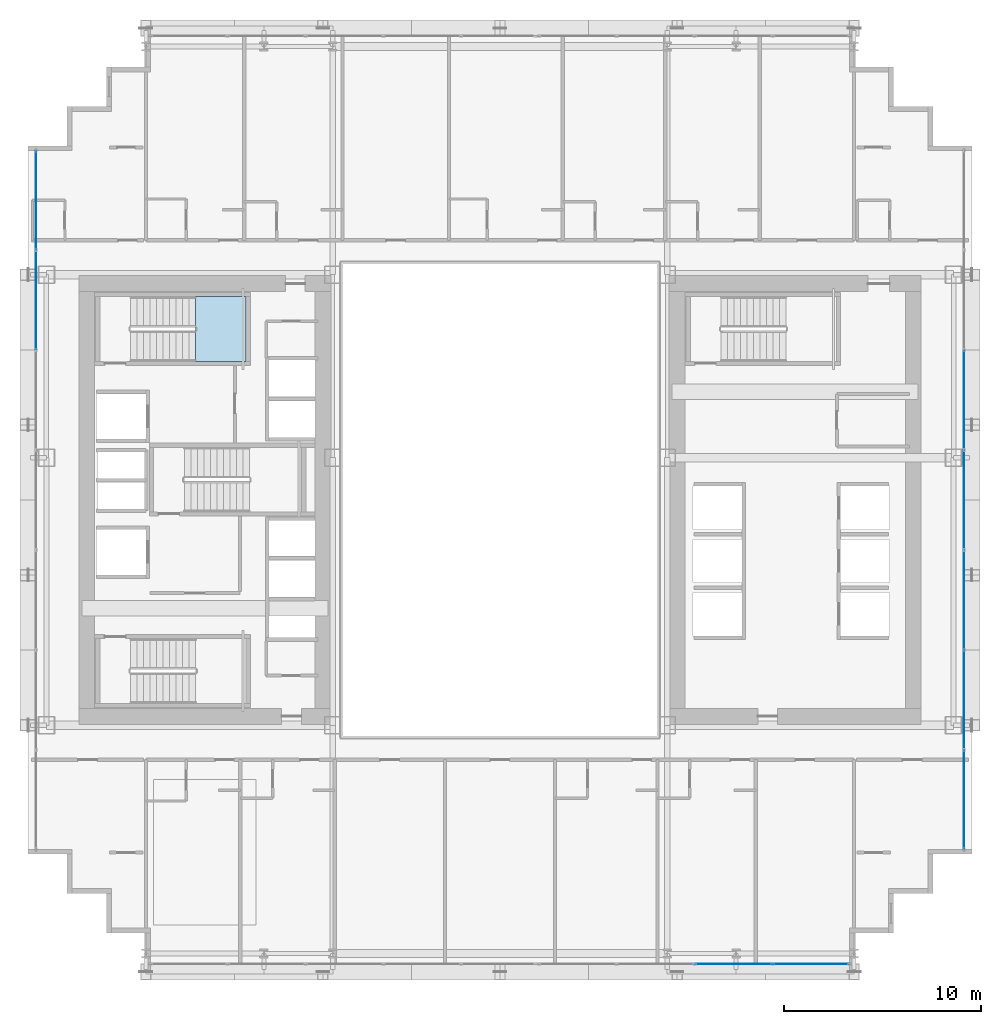
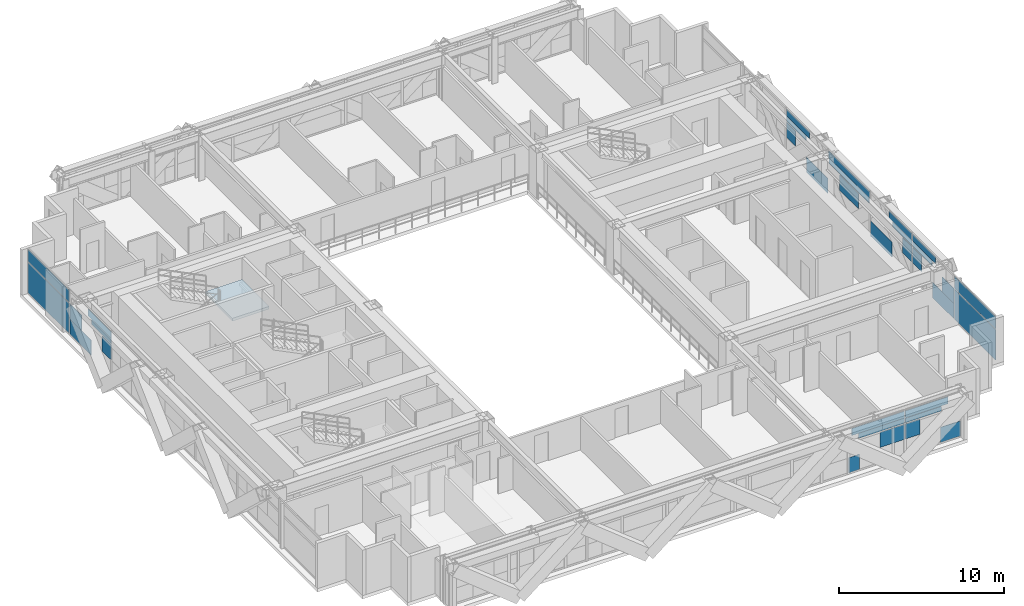
# One storey, part 26 of 38: 33 plates, 1 slab, 4 elements without a shape of their own.
"""IFC4 building model written with IfcOpenShell, lengths in metres."""

from ifc_helpers import new_model, si_unit, direction, frame, origin, origin_2d, place, context, subcontext, project, spatial, polyline, rectangle, outline, extrude, source, transform, mapped, material, layer, layer_set, type_object, element, aggregate, save


model = new_model("IFC4")

# Units and contexts
model_context = context("Model", 3, precision=1e-05, world=origin(), true_north=direction((0.0, 1.0)))
body_context = subcontext(model_context, "Body", "Model", "MODEL_VIEW")
ifc_project = project(units=[si_unit("LENGTHUNIT", "METRE"), si_unit("AREAUNIT", "SQUARE_METRE"), si_unit("VOLUMEUNIT", "CUBIC_METRE"), si_unit("PLANEANGLEUNIT", "RADIAN"), si_unit("MASSUNIT", "GRAM", prefix="KILO")], contexts=[model_context])

# Site, building, storey
site_placement = place(None, origin())
site = spatial("IfcSite", under=ifc_project, at=site_placement, CompositionType="ELEMENT")
building_placement = place(site_placement, origin())
building = spatial("IfcBuilding", under=site, at=building_placement, Name="Ocotamira Hotel", CompositionType="ELEMENT")
storey_placement = place(building_placement, frame((0.0, 0.0, 74.39990234375)))
storey = spatial("IfcBuildingStorey", under=building, at=storey_placement, Name="L18", CompositionType="ELEMENT", Elevation=74.39990234375)

# Stair, slab
ifc_material_1 = material(Name="Concrete C40/50", Category="concrete")
stair_type = type_object("IfcStairType", Name="ST-CORE-1560", PredefinedType="HALF_TURN_STAIR", material=ifc_material_1)
stair_placement = place(storey_placement, origin())
stair = element("IfcStair", 1, at=stair_placement, inside=storey, type_object=stair_type, Name="L18 Exit Stair ST-2", PredefinedType="HALF_TURN_STAIR")
ifc_layer_1 = layer(ifc_material_1, 0.199951171875)
ifc_layer_set_1 = layer_set([ifc_layer_1], Name="Concrete C40/50")
slab_type = type_object("IfcSlabType", Name="SLB-LAND-200", PredefinedType="LANDING", material=ifc_layer_set_1)
slab_placement = place(storey_placement, frame((0.0, 0.0, 1.60009765625)))
slab = element("IfcSlab", 2, at=slab_placement, type_object=slab_type, Name="ST-2 landing 1", PredefinedType="LANDING", context=body_context, shape_type="SweptSolid", body=[
    extrude(outline(polyline([(16.530029296875, 33.050048828125), (19.090087890625, 33.050048828125), (19.090087890625, 36.330078125), (16.530029296875, 36.330078125), (16.530029296875, 33.050048828125)])), origin(), (0.0, 0.0, 1.0), 0.199951171875),
])
aggregate(stair, [slab])

# Curtain wall, plate
ifc_material_2 = material(Name="Anodised pale-metal aluminium and solar glass", Category="aluminium")
ifc_layer_2 = layer(ifc_material_2, 0.179931640625)
ifc_layer_set_2 = layer_set([ifc_layer_2], Name="Anodised pale-metal aluminium and solar glass")
curtain_wall_type = type_object("IfcCurtainWallType", Name="CW-SYS2-Z1", PredefinedType="NOTDEFINED", material=ifc_layer_set_2)
curtain_wall_1_placement = place(storey_placement, origin())
curtain_wall_1 = element("IfcCurtainWall", 3, at=curtain_wall_1_placement, inside=storey, type_object=curtain_wall_type, Name="L18 Curtain Wall CW-2 CW-L18-W", PredefinedType="NOTDEFINED")
ifc_material_3 = material(Name="Double-silver low-E insulated solar glass", Category="glass")
ifc_layer_3 = layer(ifc_material_3, 0.031982421875)
ifc_layer_set_3 = layer_set([ifc_layer_3], Name="Double-silver low-E insulated solar glass")
plate_type = type_object("IfcPlateType", Name="CWP-VISION-32", PredefinedType="CURTAIN_PANEL", material=ifc_layer_set_3)
shared_shape_1 = source(origin(), body_context, "Body", "SweptSolid", [
    extrude(rectangle(XDim=4.9658203125, YDim=0.031982421875, at=origin_2d()), origin(), (0.0, 0.0, 1.0), 2.237548828125),
])
plate_1_placement = place(storey_placement, frame((8.419921875, 41.237060546875, 0.0751953125), z_axis=(0.0, 0.0, 1.0), x_axis=(0.0, 1.0, 0.0)))
plate_1 = element("IfcPlate", 4, at=plate_1_placement, type_object=plate_type, Name="CW-2 panel 7.1", PredefinedType="CURTAIN_PANEL", context=body_context, shape_type="MappedRepresentation", body=[
    mapped(shared_shape_1, transform((0.0, 0.0, 0.0), scale=1.0)),
])

curtain_wall_2_placement = place(storey_placement, origin())
curtain_wall_2 = element("IfcCurtainWall", 5, at=curtain_wall_2_placement, inside=storey, type_object=curtain_wall_type, Name="L18 Curtain Wall CW-2 CW-L18-E", PredefinedType="NOTDEFINED")
plate_2_placement = place(storey_placement, frame((55.580078125, 10.762939453125, 0.0751953125), z_axis=(0.0, 0.0, 1.0), x_axis=(0.0, 1.0, 0.0)))
plate_2 = element("IfcPlate", 6, at=plate_2_placement, type_object=plate_type, Name="CW-2 panel 1.1", PredefinedType="CURTAIN_PANEL", context=body_context, shape_type="MappedRepresentation", body=[
    mapped(shared_shape_1, transform((0.0, 0.0, 0.0), scale=1.0)),
])

# Plate
shared_shape_2 = source(origin(), body_context, "Body", "SweptSolid", [
    extrude(rectangle(XDim=4.9658203125, YDim=0.031982421875, at=origin_2d()), origin(), (0.0, 0.0, 1.0), 0.887451171875),
])
plate_3_placement = place(storey_placement, frame((8.419921875, 41.237060546875, 2.3876953125), z_axis=(0.0, 0.0, 1.0), x_axis=(0.0, 1.0, 0.0)))
plate_3 = element("IfcPlate", 7, at=plate_3_placement, type_object=plate_type, Name="CW-2 panel 7.2", PredefinedType="CURTAIN_PANEL", context=body_context, shape_type="MappedRepresentation", body=[
    mapped(shared_shape_2, transform((0.0, 0.0, 0.0), scale=1.0)),
])

plate_4_placement = place(storey_placement, frame((55.580078125, 10.762939453125, 2.3876953125), z_axis=(0.0, 0.0, 1.0), x_axis=(0.0, 1.0, 0.0)))
plate_4 = element("IfcPlate", 8, at=plate_4_placement, type_object=plate_type, Name="CW-2 panel 1.2", PredefinedType="CURTAIN_PANEL", context=body_context, shape_type="MappedRepresentation", body=[
    mapped(shared_shape_2, transform((0.0, 0.0, 0.0), scale=1.0)),
])

# Curtain wall, plates
curtain_wall_3_placement = place(storey_placement, origin())
curtain_wall_3 = element("IfcCurtainWall", 9, at=curtain_wall_3_placement, inside=storey, type_object=curtain_wall_type, Name="L18 Curtain Wall CW-2 CW-L18-S1", PredefinedType="NOTDEFINED")
shared_shape_3 = source(origin(), body_context, "Body", "SweptSolid", [
    extrude(rectangle(XDim=2.9755859375, YDim=0.031982421875, at=origin_2d()), origin(), (0.0, 0.0, 1.0), 0.5107421875),
])
plate_5_placement = place(storey_placement, frame((47.372314453125, 2.419921875, 2.764404296875), z_axis=(0.0, 0.0, 1.0), x_axis=(1.0, 0.0, 0.0)))
plate_5 = element("IfcPlate", 10, at=plate_5_placement, type_object=plate_type, Name="CW-2 panel 9.2.2", PredefinedType="CURTAIN_PANEL", context=body_context, shape_type="MappedRepresentation", body=[
    mapped(shared_shape_3, transform((0.0, 0.0, 0.0), scale=1.0)),
])
shared_shape_4 = source(origin(), body_context, "Body", "SweptSolid", [
    extrude(rectangle(XDim=2.504638671875, YDim=0.031982421875, at=origin_2d()), origin(), (0.0, 0.0, 1.0), 0.345458984375),
])
plate_6_placement = place(storey_placement, frame((47.13671875, 2.419921875, 2.3876953125), z_axis=(0.0, 0.0, 1.0), x_axis=(1.0, 0.0, 0.0)))
plate_6 = element("IfcPlate", 11, at=plate_6_placement, type_object=plate_type, Name="CW-2 panel 9.2.1", PredefinedType="CURTAIN_PANEL", context=body_context, shape_type="MappedRepresentation", body=[
    mapped(shared_shape_4, transform((0.0, 0.0, 0.0), scale=1.0)),
])
shared_shape_5 = source(origin(), body_context, "Body", "SweptSolid", [
    extrude(rectangle(XDim=3.193603515625, YDim=0.031982421875, at=origin_2d()), origin(), (0.0, 0.0, 1.0), 0.376708984375),
])
plate_7_placement = place(storey_placement, frame((44.207763671875, 2.419921875, 2.3876953125), z_axis=(0.0, 0.0, 1.0), x_axis=(1.0, 0.0, 0.0)))
plate_7 = element("IfcPlate", 12, at=plate_7_placement, type_object=plate_type, Name="CW-2 panel 8.2.2", PredefinedType="CURTAIN_PANEL", context=body_context, shape_type="MappedRepresentation", body=[
    mapped(shared_shape_5, transform((0.0, 0.0, 0.0), scale=1.0)),
])
shared_shape_6 = source(origin(), body_context, "Body", "SweptSolid", [
    extrude(rectangle(XDim=3.664306640625, YDim=0.031982421875, at=origin_2d()), origin(), (0.0, 0.0, 1.0), 0.5107421875),
])
plate_8_placement = place(storey_placement, frame((43.972412109375, 2.419921875, 2.764404296875), z_axis=(0.0, 0.0, 1.0), x_axis=(1.0, 0.0, 0.0)))
plate_8 = element("IfcPlate", 13, at=plate_8_placement, type_object=plate_type, Name="CW-2 panel 8.2.1", PredefinedType="CURTAIN_PANEL", context=body_context, shape_type="MappedRepresentation", body=[
    mapped(shared_shape_6, transform((0.0, 0.0, 0.0), scale=1.0)),
])

# Plate
shared_shape_7 = source(origin(), body_context, "Body", "SweptSolid", [
    extrude(rectangle(XDim=2.796630859375, YDim=0.031982421875, at=origin_2d()), origin(), (0.0, 0.0, 1.0), 0.485107421875),
])
plate_9_placement = place(storey_placement, frame((8.419921875, 35.06689453125, 2.7900390625), z_axis=(0.0, 0.0, 1.0), x_axis=(0.0, 1.0, 0.0)))
plate_9 = element("IfcPlate", 14, at=plate_9_placement, type_object=plate_type, Name="CW-2 panel 6.2.2", PredefinedType="CURTAIN_PANEL", context=body_context, shape_type="MappedRepresentation", body=[
    mapped(shared_shape_7, transform((0.0, 0.0, 0.0), scale=1.0)),
])

plate_10_placement = place(storey_placement, frame((55.580078125, 16.93310546875, 2.7900390625), z_axis=(0.0, 0.0, 1.0), x_axis=(0.0, 1.0, 0.0)))
plate_10 = element("IfcPlate", 15, at=plate_10_placement, type_object=plate_type, Name="CW-2 panel 2.2.1", PredefinedType="CURTAIN_PANEL", context=body_context, shape_type="MappedRepresentation", body=[
    mapped(shared_shape_7, transform((0.0, 0.0, 0.0), scale=1.0)),
])

shared_shape_8 = source(origin(), body_context, "Body", "SweptSolid", [
    extrude(rectangle(XDim=2.3701171875, YDim=0.031982421875, at=origin_2d()), origin(), (0.0, 0.0, 1.0), 0.367919921875),
])
plate_11_placement = place(storey_placement, frame((8.419921875, 34.853759765625, 2.3876953125), z_axis=(0.0, 0.0, 1.0), x_axis=(0.0, 1.0, 0.0)))
plate_11 = element("IfcPlate", 16, at=plate_11_placement, type_object=plate_type, Name="CW-2 panel 6.2.1", PredefinedType="CURTAIN_PANEL", context=body_context, shape_type="MappedRepresentation", body=[
    mapped(shared_shape_8, transform((0.0, 0.0, 0.0), scale=1.0)),
])

plate_12_placement = place(storey_placement, frame((55.580078125, 17.146240234375, 2.3876953125), z_axis=(0.0, 0.0, 1.0), x_axis=(0.0, 1.0, 0.0)))
plate_12 = element("IfcPlate", 17, at=plate_12_placement, type_object=plate_type, Name="CW-2 panel 2.2.2", PredefinedType="CURTAIN_PANEL", context=body_context, shape_type="MappedRepresentation", body=[
    mapped(shared_shape_8, transform((0.0, 0.0, 0.0), scale=1.0)),
])

shared_shape_9 = source(origin(), body_context, "Body", "SweptSolid", [
    extrude(rectangle(XDim=2.360595703125, YDim=0.031982421875, at=origin_2d()), origin(), (0.0, 0.0, 1.0), 0.367919921875),
])
plate_13_placement = place(storey_placement, frame((55.580078125, 19.591796875, 2.3876953125), z_axis=(0.0, 0.0, 1.0), x_axis=(0.0, 1.0, 0.0)))
plate_13 = element("IfcPlate", 18, at=plate_13_placement, type_object=plate_type, Name="CW-2 panel 3.2.1", PredefinedType="CURTAIN_PANEL", context=body_context, shape_type="MappedRepresentation", body=[
    mapped(shared_shape_9, transform((0.0, 0.0, 0.0), scale=1.0)),
])

plate_14_placement = place(storey_placement, frame((55.580078125, 32.408203125, 2.3876953125), z_axis=(0.0, 0.0, 1.0), x_axis=(0.0, 1.0, 0.0)))
plate_14 = element("IfcPlate", 19, at=plate_14_placement, type_object=plate_type, Name="CW-2 panel 5.2.2", PredefinedType="CURTAIN_PANEL", context=body_context, shape_type="MappedRepresentation", body=[
    mapped(shared_shape_9, transform((0.0, 0.0, 0.0), scale=1.0)),
])

shared_shape_10 = source(origin(), body_context, "Body", "SweptSolid", [
    extrude(rectangle(XDim=2.787109375, YDim=0.031982421875, at=origin_2d()), origin(), (0.0, 0.0, 1.0), 0.485107421875),
])
plate_15_placement = place(storey_placement, frame((55.580078125, 19.804931640625, 2.7900390625), z_axis=(0.0, 0.0, 1.0), x_axis=(0.0, 1.0, 0.0)))
plate_15 = element("IfcPlate", 20, at=plate_15_placement, type_object=plate_type, Name="CW-2 panel 3.2.2", PredefinedType="CURTAIN_PANEL", context=body_context, shape_type="MappedRepresentation", body=[
    mapped(shared_shape_10, transform((0.0, 0.0, 0.0), scale=1.0)),
])

plate_16_placement = place(storey_placement, frame((55.580078125, 32.195068359375, 2.7900390625), z_axis=(0.0, 0.0, 1.0), x_axis=(0.0, 1.0, 0.0)))
plate_16 = element("IfcPlate", 21, at=plate_16_placement, type_object=plate_type, Name="CW-2 panel 5.2.1", PredefinedType="CURTAIN_PANEL", context=body_context, shape_type="MappedRepresentation", body=[
    mapped(shared_shape_10, transform((0.0, 0.0, 0.0), scale=1.0)),
])

shared_shape_11 = source(origin(), body_context, "Body", "SweptSolid", [
    extrude(rectangle(XDim=5.005615234375, YDim=0.031982421875, at=origin_2d()), origin(), (0.0, 0.0, 1.0), 0.485107421875),
])
plate_17_placement = place(storey_placement, frame((55.580078125, 26.0, 2.7900390625), z_axis=(0.0, 0.0, 1.0), x_axis=(0.0, 1.0, 0.0)))
plate_17 = element("IfcPlate", 22, at=plate_17_placement, type_object=plate_type, Name="CW-2 panel 4.2.1", PredefinedType="CURTAIN_PANEL", context=body_context, shape_type="MappedRepresentation", body=[
    mapped(shared_shape_11, transform((0.0, 0.0, 0.0), scale=1.0)),
])

shared_shape_12 = source(origin(), body_context, "Body", "SweptSolid", [
    extrude(rectangle(XDim=4.81103515625, YDim=0.031982421875, at=origin_2d()), origin(), (0.0, 0.0, 1.0), 0.40234375),
])
plate_18_placement = place(storey_placement, frame((55.580078125, 26.0, 2.387451171875), z_axis=(0.0, 0.0, 1.0), x_axis=(0.0, 1.0, 0.0)))
plate_18 = element("IfcPlate", 23, at=plate_18_placement, type_object=plate_type, Name="CW-2 panel 4.2.2", PredefinedType="CURTAIN_PANEL", context=body_context, shape_type="MappedRepresentation", body=[
    mapped(shared_shape_12, transform((0.0, 0.0, 0.0), scale=1.0)),
])

shared_shape_13 = source(origin(), body_context, "Body", "SweptSolid", [
    extrude(rectangle(XDim=1.382568359375, YDim=0.031982421875, at=origin_2d()), origin(), (0.0, 0.0, 1.0), 1.118896484375),
])
plate_19_placement = place(storey_placement, frame((49.02880859375, 2.419921875, 0.0751953125), z_axis=(0.0, 0.0, 1.0), x_axis=(1.0, 0.0, 0.0)))
plate_19 = element("IfcPlate", 24, at=plate_19_placement, type_object=plate_type, Name="CW-2 panel 9.1.2", PredefinedType="CURTAIN_PANEL", context=body_context, shape_type="MappedRepresentation", body=[
    mapped(shared_shape_13, transform((0.0, 0.0, 0.0), scale=1.0)),
])

shared_shape_14 = source(origin(), body_context, "Body", "SweptSolid", [
    extrude(rectangle(XDim=0.733642578125, YDim=0.031982421875, at=origin_2d()), origin(), (0.0, 0.0, 1.0), 1.118896484375),
])
plate_20_placement = place(storey_placement, frame((42.295654296875, 2.419921875, 0.0751953125), z_axis=(0.0, 0.0, 1.0), x_axis=(1.0, 0.0, 0.0)))
plate_20 = element("IfcPlate", 25, at=plate_20_placement, type_object=plate_type, Name="CW-2 panel 8.1.1", PredefinedType="CURTAIN_PANEL", context=body_context, shape_type="MappedRepresentation", body=[
    mapped(shared_shape_14, transform((0.0, 0.0, 0.0), scale=1.0)),
])

shared_shape_15 = source(origin(), body_context, "Body", "SweptSolid", [
    extrude(rectangle(XDim=2.58935546875, YDim=0.031982421875, at=origin_2d()), origin(), (0.0, 0.0, 1.0), 1.118896484375),
])
plate_21_placement = place(storey_placement, frame((8.419921875, 37.379638671875, 0.0751953125), z_axis=(0.0, 0.0, 1.0), x_axis=(0.0, 1.0, 0.0)))
plate_21 = element("IfcPlate", 26, at=plate_21_placement, type_object=plate_type, Name="CW-2 panel 6.1.2", PredefinedType="CURTAIN_PANEL", context=body_context, shape_type="MappedRepresentation", body=[
    mapped(shared_shape_15, transform((0.0, 0.0, 0.0), scale=1.0)),
])

plate_22_placement = place(storey_placement, frame((55.580078125, 14.620361328125, 0.0751953125), z_axis=(0.0, 0.0, 1.0), x_axis=(0.0, 1.0, 0.0)))
plate_22 = element("IfcPlate", 27, at=plate_22_placement, type_object=plate_type, Name="CW-2 panel 2.1.1", PredefinedType="CURTAIN_PANEL", context=body_context, shape_type="MappedRepresentation", body=[
    mapped(shared_shape_15, transform((0.0, 0.0, 0.0), scale=1.0)),
])

shared_shape_16 = source(origin(), body_context, "Body", "SweptSolid", [
    extrude(rectangle(XDim=2.59912109375, YDim=0.031982421875, at=origin_2d()), origin(), (0.0, 0.0, 1.0), 1.118896484375),
])
plate_23_placement = place(storey_placement, frame((55.580078125, 22.11767578125, 0.0751953125), z_axis=(0.0, 0.0, 1.0), x_axis=(0.0, 1.0, 0.0)))
plate_23 = element("IfcPlate", 28, at=plate_23_placement, type_object=plate_type, Name="CW-2 panel 3.1.2", PredefinedType="CURTAIN_PANEL", context=body_context, shape_type="MappedRepresentation", body=[
    mapped(shared_shape_16, transform((0.0, 0.0, 0.0), scale=1.0)),
])

plate_24_placement = place(storey_placement, frame((55.580078125, 29.88232421875, 0.0751953125), z_axis=(0.0, 0.0, 1.0), x_axis=(0.0, 1.0, 0.0)))
plate_24 = element("IfcPlate", 29, at=plate_24_placement, type_object=plate_type, Name="CW-2 panel 5.1.1", PredefinedType="CURTAIN_PANEL", context=body_context, shape_type="MappedRepresentation", body=[
    mapped(shared_shape_16, transform((0.0, 0.0, 0.0), scale=1.0)),
])

shared_shape_17 = source(origin(), body_context, "Body", "SweptSolid", [
    extrude(rectangle(XDim=2.27978515625, YDim=0.031982421875, at=origin_2d()), origin(), (0.0, 0.0, 1.0), 1.118896484375),
])
plate_25_placement = place(storey_placement, frame((55.580078125, 26.0, 1.19384765625), z_axis=(0.0, 0.0, 1.0), x_axis=(0.0, 1.0, 0.0)))
plate_25 = element("IfcPlate", 30, at=plate_25_placement, type_object=plate_type, Name="CW-2 panel 4.1.1", PredefinedType="CURTAIN_PANEL", context=body_context, shape_type="MappedRepresentation", body=[
    mapped(shared_shape_17, transform((0.0, 0.0, 0.0), scale=1.0)),
])

shared_shape_18 = source(origin(), body_context, "Body", "SweptSolid", [
    extrude(rectangle(XDim=1.012451171875, YDim=0.031982421875, at=origin_2d()), origin(), (0.0, 0.0, 1.0), 1.118896484375),
])
plate_26_placement = place(storey_placement, frame((46.390625, 2.419921875, 1.19384765625), z_axis=(0.0, 0.0, 1.0), x_axis=(1.0, 0.0, 0.0)))
plate_26 = element("IfcPlate", 31, at=plate_26_placement, type_object=plate_type, Name="CW-2 panel 9.1.1", PredefinedType="CURTAIN_PANEL", context=body_context, shape_type="MappedRepresentation", body=[
    mapped(shared_shape_18, transform((0.0, 0.0, 0.0), scale=1.0)),
])

shared_shape_19 = source(origin(), body_context, "Body", "SweptSolid", [
    extrude(rectangle(XDim=1.701416015625, YDim=0.031982421875, at=origin_2d()), origin(), (0.0, 0.0, 1.0), 1.118896484375),
])
plate_27_placement = place(storey_placement, frame((44.953857421875, 2.419921875, 1.19384765625), z_axis=(0.0, 0.0, 1.0), x_axis=(1.0, 0.0, 0.0)))
plate_27 = element("IfcPlate", 32, at=plate_27_placement, type_object=plate_type, Name="CW-2 panel 8.1.2", PredefinedType="CURTAIN_PANEL", context=body_context, shape_type="MappedRepresentation", body=[
    mapped(shared_shape_19, transform((0.0, 0.0, 0.0), scale=1.0)),
])

aggregate(curtain_wall_3, [plate_20, plate_27, plate_8, plate_7, plate_26, plate_19, plate_6, plate_5])

shared_shape_20 = source(origin(), body_context, "Body", "SweptSolid", [
    extrude(rectangle(XDim=1.4033203125, YDim=0.031982421875, at=origin_2d()), origin(), (0.0, 0.0, 1.0), 1.118896484375),
])
plate_28_placement = place(storey_placement, frame((8.419921875, 37.97265625, 1.19384765625), z_axis=(0.0, 0.0, 1.0), x_axis=(0.0, 1.0, 0.0)))
plate_28 = element("IfcPlate", 33, at=plate_28_placement, type_object=plate_type, Name="CW-2 panel 6.1.3", PredefinedType="CURTAIN_PANEL", context=body_context, shape_type="MappedRepresentation", body=[
    mapped(shared_shape_20, transform((0.0, 0.0, 0.0), scale=1.0)),
])

plate_29_placement = place(storey_placement, frame((55.580078125, 14.02734375, 1.19384765625), z_axis=(0.0, 0.0, 1.0), x_axis=(0.0, 1.0, 0.0)))
plate_29 = element("IfcPlate", 34, at=plate_29_placement, type_object=plate_type, Name="CW-2 panel 2.1.2", PredefinedType="CURTAIN_PANEL", context=body_context, shape_type="MappedRepresentation", body=[
    mapped(shared_shape_20, transform((0.0, 0.0, 0.0), scale=1.0)),
])

shared_shape_21 = source(origin(), body_context, "Body", "SweptSolid", [
    extrude(rectangle(XDim=1.104736328125, YDim=0.031982421875, at=origin_2d()), origin(), (0.0, 0.0, 1.0), 1.118896484375),
])
plate_30_placement = place(storey_placement, frame((8.419921875, 34.220947265625, 1.19384765625), z_axis=(0.0, 0.0, 1.0), x_axis=(0.0, 1.0, 0.0)))
plate_30 = element("IfcPlate", 35, at=plate_30_placement, type_object=plate_type, Name="CW-2 panel 6.1.1", PredefinedType="CURTAIN_PANEL", context=body_context, shape_type="MappedRepresentation", body=[
    mapped(shared_shape_21, transform((0.0, 0.0, 0.0), scale=1.0)),
])

aggregate(curtain_wall_1, [plate_30, plate_21, plate_28, plate_11, plate_9, plate_1, plate_3])

plate_31_placement = place(storey_placement, frame((55.580078125, 17.779052734375, 1.19384765625), z_axis=(0.0, 0.0, 1.0), x_axis=(0.0, 1.0, 0.0)))
plate_31 = element("IfcPlate", 36, at=plate_31_placement, type_object=plate_type, Name="CW-2 panel 2.1.3", PredefinedType="CURTAIN_PANEL", context=body_context, shape_type="MappedRepresentation", body=[
    mapped(shared_shape_21, transform((0.0, 0.0, 0.0), scale=1.0)),
])

shared_shape_22 = source(origin(), body_context, "Body", "SweptSolid", [
    extrude(rectangle(XDim=1.094970703125, YDim=0.031982421875, at=origin_2d()), origin(), (0.0, 0.0, 1.0), 1.118896484375),
])
plate_32_placement = place(storey_placement, frame((55.580078125, 18.958984375, 1.19384765625), z_axis=(0.0, 0.0, 1.0), x_axis=(0.0, 1.0, 0.0)))
plate_32 = element("IfcPlate", 37, at=plate_32_placement, type_object=plate_type, Name="CW-2 panel 3.1.1", PredefinedType="CURTAIN_PANEL", context=body_context, shape_type="MappedRepresentation", body=[
    mapped(shared_shape_22, transform((0.0, 0.0, 0.0), scale=1.0)),
])

plate_33_placement = place(storey_placement, frame((55.580078125, 33.041015625, 1.19384765625), z_axis=(0.0, 0.0, 1.0), x_axis=(0.0, 1.0, 0.0)))
plate_33 = element("IfcPlate", 38, at=plate_33_placement, type_object=plate_type, Name="CW-2 panel 5.1.2", PredefinedType="CURTAIN_PANEL", context=body_context, shape_type="MappedRepresentation", body=[
    mapped(shared_shape_22, transform((0.0, 0.0, 0.0), scale=1.0)),
])

aggregate(curtain_wall_2, [plate_2, plate_4, plate_22, plate_29, plate_31, plate_10, plate_12, plate_32, plate_23, plate_13, plate_15, plate_25, plate_17, plate_18, plate_24, plate_33, plate_16, plate_14])

save(model, "model.ifc")
